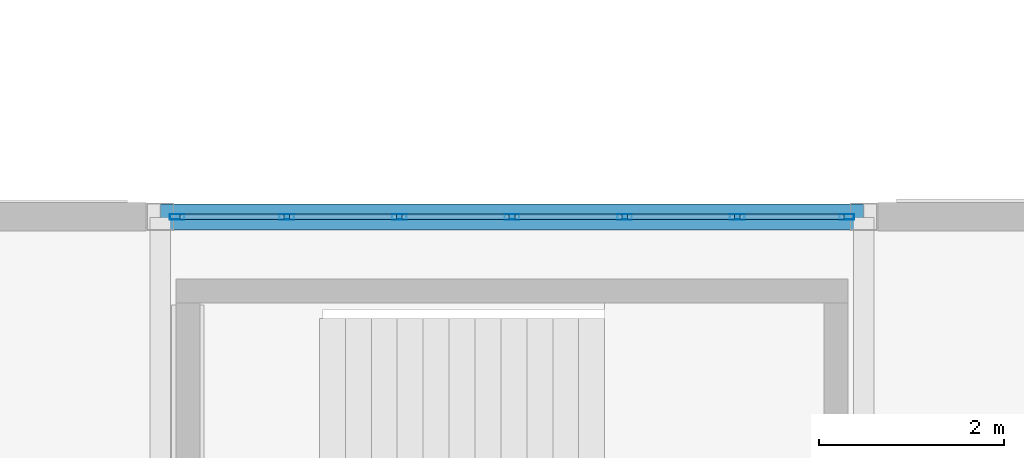
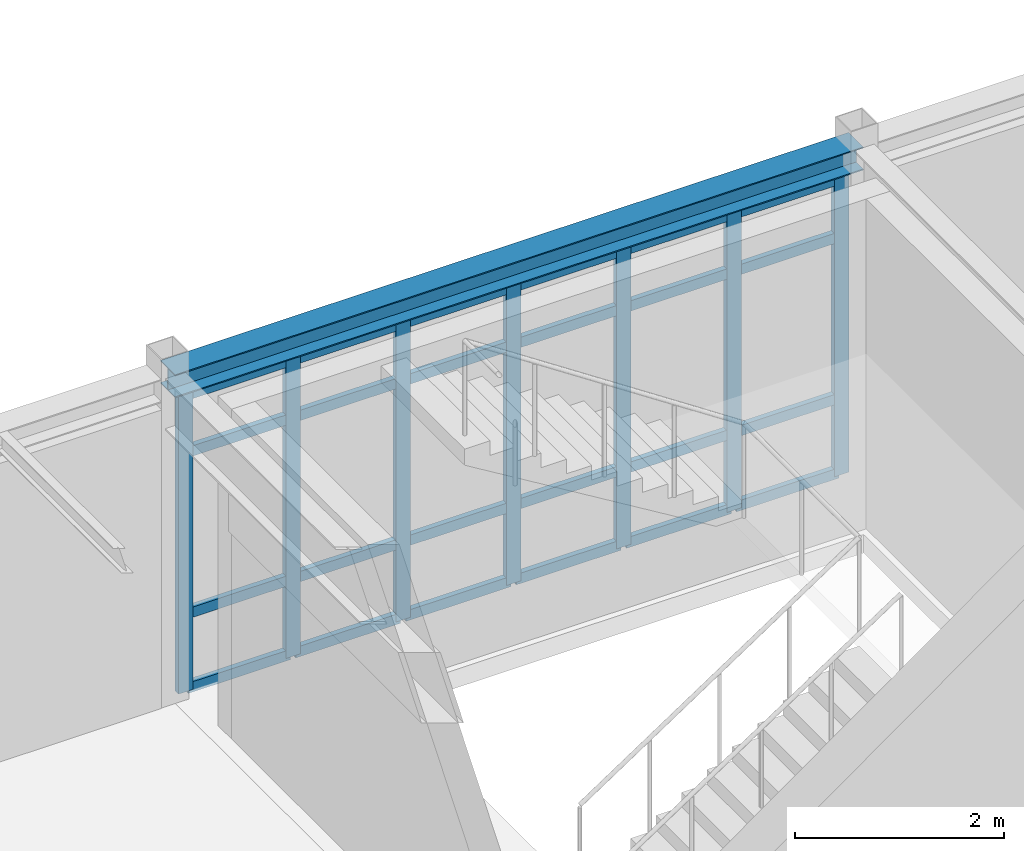
# One storey, part 77 of 165: 31 members, 1 beam, 1 element without a shape of its own.
"""IFC4 building model written with IfcOpenShell, lengths in metres."""

from ifc_helpers import new_model, si_unit, direction, frame, origin, origin_2d, place, context, subcontext, project, spatial, hollow_rectangle, i_section, extrude, material, layer, layer_set, material_profile, profile_set, type_object, element, aggregate, save


model = new_model("IFC4")

# Units and contexts
model_context = context("Model", 3, precision=1e-05, world=origin(), true_north=direction((0.0, 1.0)))
body_context = subcontext(model_context, "Body", "Model", "MODEL_VIEW")
ifc_project = project(units=[si_unit("LENGTHUNIT", "METRE"), si_unit("AREAUNIT", "SQUARE_METRE"), si_unit("VOLUMEUNIT", "CUBIC_METRE"), si_unit("PLANEANGLEUNIT", "RADIAN"), si_unit("MASSUNIT", "GRAM", prefix="KILO")], contexts=[model_context])

# Site, building, storey
site_placement = place(None, origin())
site = spatial("IfcSite", under=ifc_project, at=site_placement, CompositionType="ELEMENT")
building_placement = place(site_placement, origin())
building = spatial("IfcBuilding", under=site, at=building_placement, Name="Montecoro Central Library", CompositionType="ELEMENT")
storey_placement = place(building_placement, frame((0.0, 0.0, 5.10009765625)))
storey = spatial("IfcBuildingStorey", under=building, at=storey_placement, Name="L01", CompositionType="ELEMENT", Elevation=5.10009765625)

# Beam
ifc_material_1 = material(Name="Steel S355", Category="steel")
ifc_material_profile_1 = material_profile(ifc_material_1, i_section(OverallWidth=0.280029296875, OverallDepth=0.27001953125, WebThickness=0.008056640625, FlangeThickness=0.012939453125, at=origin_2d()), Name="HEA 280")
ifc_profile_set_1 = profile_set([ifc_material_profile_1], Name="Steel S355")
beam_type = type_object("IfcBeamType", Name="BM-SP-HEA280", PredefinedType="SPANDREL", material=ifc_profile_set_1)
beam_placement = place(storey_placement, frame((27.804931640625, 111.39990234375, 3.68994140625), z_axis=(1.0, 0.0, 0.0), x_axis=(0.0, 1.0, 0.0)))
element("IfcBeam", 1, at=beam_placement, inside=storey, type_object=beam_type, Name="V4-L01-BX-45-Q", PredefinedType="SPANDREL", context=body_context, shape_type="SweptSolid", body=[
    extrude(i_section(OverallWidth=0.280029296875, OverallDepth=0.27001953125, WebThickness=0.008056640625, FlangeThickness=0.012939453125, at=origin_2d()), origin(), (0.0, 0.0, 1.0), 7.590087890625),
])

# Curtain wall, members
ifc_material_2 = material(Name="Bronze-anodised aluminium and low-E glazing", Category="aluminium")
ifc_layer = layer(ifc_material_2, 0.159912109375)
ifc_layer_set = layer_set([ifc_layer], Name="Bronze-anodised aluminium and low-E glazing")
curtain_wall_type = type_object("IfcCurtainWallType", Name="CWT-044", PredefinedType="NOTDEFINED", material=ifc_layer_set)
curtain_wall_placement = place(storey_placement, origin())
curtain_wall = element("IfcCurtainWall", 2, at=curtain_wall_placement, inside=storey, type_object=curtain_wall_type, Name="V4-L01-CW-N3", PredefinedType="NOTDEFINED")
ifc_material_3 = material(Name="Bronze-anodised aluminium", Category="aluminium")
ifc_material_profile_2 = material_profile(ifc_material_3, hollow_rectangle(XDim=0.06005859375, YDim=0.159912109375, WallThickness=0.00390625, at=origin_2d()), Name="CWM 160x60x4.0")
ifc_profile_set_2 = profile_set([ifc_material_profile_2], Name="Bronze-anodised aluminium")
member_type_1 = type_object("IfcMemberType", Name="CWM-BRZ-60", PredefinedType="MULLION", material=ifc_profile_set_2)
member_1_placement = place(storey_placement, frame((35.217041015625, 111.39990234375, 0.0), z_axis=(0.0, 0.0, 1.0), x_axis=(0.0, -1.0, 0.0)))
member_1 = element("IfcMember", 3, at=member_1_placement, type_object=member_type_1, Name="CW-044 mullion 1", PredefinedType="MULLION", context=body_context, shape_type="SweptSolid", body=[
    extrude(hollow_rectangle(XDim=0.06005859375, YDim=0.159912109375, WallThickness=0.00390625, at=origin_2d()), origin(), (0.0, 0.0, 1.0), 3.47998046875),
])
member_2_placement = place(storey_placement, frame((34.03125, 111.39990234375, 0.0), z_axis=(0.0, 0.0, 1.0), x_axis=(0.0, -1.0, 0.0)))
member_2 = element("IfcMember", 4, at=member_2_placement, type_object=member_type_1, Name="CW-044 mullion 2", PredefinedType="MULLION", context=body_context, shape_type="SweptSolid", body=[
    extrude(hollow_rectangle(XDim=0.06005859375, YDim=0.159912109375, WallThickness=0.00390625, at=origin_2d()), origin(), (0.0, 0.0, 1.0), 3.47998046875),
])
member_3_placement = place(storey_placement, frame((32.815673828125, 111.39990234375, 0.0), z_axis=(0.0, 0.0, 1.0), x_axis=(0.0, -1.0, 0.0)))
member_3 = element("IfcMember", 5, at=member_3_placement, type_object=member_type_1, Name="CW-044 mullion 3", PredefinedType="MULLION", context=body_context, shape_type="SweptSolid", body=[
    extrude(hollow_rectangle(XDim=0.06005859375, YDim=0.159912109375, WallThickness=0.00390625, at=origin_2d()), origin(), (0.0, 0.0, 1.0), 3.47998046875),
])
member_4_placement = place(storey_placement, frame((31.60009765625, 111.39990234375, 0.0), z_axis=(0.0, 0.0, 1.0), x_axis=(0.0, -1.0, 0.0)))
member_4 = element("IfcMember", 6, at=member_4_placement, type_object=member_type_1, Name="CW-044 mullion 4", PredefinedType="MULLION", context=body_context, shape_type="SweptSolid", body=[
    extrude(hollow_rectangle(XDim=0.06005859375, YDim=0.159912109375, WallThickness=0.00390625, at=origin_2d()), origin(), (0.0, 0.0, 1.0), 3.47998046875),
])
member_5_placement = place(storey_placement, frame((30.38427734375, 111.39990234375, 0.0), z_axis=(0.0, 0.0, 1.0), x_axis=(0.0, -1.0, 0.0)))
member_5 = element("IfcMember", 7, at=member_5_placement, type_object=member_type_1, Name="CW-044 mullion 5", PredefinedType="MULLION", context=body_context, shape_type="SweptSolid", body=[
    extrude(hollow_rectangle(XDim=0.06005859375, YDim=0.159912109375, WallThickness=0.00390625, at=origin_2d()), origin(), (0.0, 0.0, 1.0), 3.47998046875),
])
member_6_placement = place(storey_placement, frame((29.168701171875, 111.39990234375, 0.0), z_axis=(0.0, 0.0, 1.0), x_axis=(0.0, -1.0, 0.0)))
member_6 = element("IfcMember", 8, at=member_6_placement, type_object=member_type_1, Name="CW-044 mullion 6", PredefinedType="MULLION", context=body_context, shape_type="SweptSolid", body=[
    extrude(hollow_rectangle(XDim=0.06005859375, YDim=0.159912109375, WallThickness=0.00390625, at=origin_2d()), origin(), (0.0, 0.0, 1.0), 3.47998046875),
])
member_7_placement = place(storey_placement, frame((27.98291015625, 111.39990234375, 0.0), z_axis=(0.0, 0.0, 1.0), x_axis=(0.0, -1.0, 0.0)))
member_7 = element("IfcMember", 9, at=member_7_placement, type_object=member_type_1, Name="CW-044 mullion 7", PredefinedType="MULLION", context=body_context, shape_type="SweptSolid", body=[
    extrude(hollow_rectangle(XDim=0.06005859375, YDim=0.159912109375, WallThickness=0.00390625, at=origin_2d()), origin(), (0.0, 0.0, 1.0), 3.47998046875),
])
ifc_material_profile_3 = material_profile(ifc_material_3, hollow_rectangle(XDim=0.06005859375, YDim=0.1201171875, WallThickness=0.00390625, at=origin_2d()), Name="CWT 120x60x4.0")
ifc_profile_set_3 = profile_set([ifc_material_profile_3], Name="Bronze-anodised aluminium")
member_type_2 = type_object("IfcMemberType", Name="CWT-BRZ-60", PredefinedType="USERDEFINED", material=ifc_profile_set_3)
member_8_placement = place(storey_placement, frame((35.18701171875, 111.39990234375, 0.02978515625), z_axis=(-1.0, 0.0, 0.0), x_axis=(0.0, -1.0, 0.0)))
member_8 = element("IfcMember", 10, at=member_8_placement, type_object=member_type_2, Name="CW-044 transom 1.1", ObjectType="TRANSOM", PredefinedType="USERDEFINED", context=body_context, shape_type="SweptSolid", body=[
    extrude(hollow_rectangle(XDim=0.06005859375, YDim=0.1201171875, WallThickness=0.00390625, at=origin_2d()), origin(), (0.0, 0.0, 1.0), 1.125732421875),
])
member_9_placement = place(storey_placement, frame((35.18701171875, 111.39990234375, 0.89990234375), z_axis=(-1.0, 0.0, 0.0), x_axis=(0.0, -1.0, 0.0)))
member_9 = element("IfcMember", 11, at=member_9_placement, type_object=member_type_2, Name="CW-044 transom 1.2", ObjectType="TRANSOM", PredefinedType="USERDEFINED", context=body_context, shape_type="SweptSolid", body=[
    extrude(hollow_rectangle(XDim=0.06005859375, YDim=0.1201171875, WallThickness=0.00390625, at=origin_2d()), origin(), (0.0, 0.0, 1.0), 1.125732421875),
])
member_10_placement = place(storey_placement, frame((35.18701171875, 111.39990234375, 2.77978515625), z_axis=(-1.0, 0.0, 0.0), x_axis=(0.0, -1.0, 0.0)))
member_10 = element("IfcMember", 12, at=member_10_placement, type_object=member_type_2, Name="CW-044 transom 1.3", ObjectType="TRANSOM", PredefinedType="USERDEFINED", context=body_context, shape_type="SweptSolid", body=[
    extrude(hollow_rectangle(XDim=0.06005859375, YDim=0.1201171875, WallThickness=0.00390625, at=origin_2d()), origin(), (0.0, 0.0, 1.0), 1.125732421875),
])
member_11_placement = place(storey_placement, frame((35.18701171875, 111.39990234375, 3.449951171875), z_axis=(-1.0, 0.0, 0.0), x_axis=(0.0, -1.0, 0.0)))
member_11 = element("IfcMember", 13, at=member_11_placement, type_object=member_type_2, Name="CW-044 transom 1.4", ObjectType="TRANSOM", PredefinedType="USERDEFINED", context=body_context, shape_type="SweptSolid", body=[
    extrude(hollow_rectangle(XDim=0.06005859375, YDim=0.1201171875, WallThickness=0.00390625, at=origin_2d()), origin(), (0.0, 0.0, 1.0), 1.125732421875),
])
member_12_placement = place(storey_placement, frame((34.001220703125, 111.39990234375, 0.02978515625), z_axis=(-1.0, 0.0, 0.0), x_axis=(0.0, -1.0, 0.0)))
member_12 = element("IfcMember", 14, at=member_12_placement, type_object=member_type_2, Name="CW-044 transom 2.1", ObjectType="TRANSOM", PredefinedType="USERDEFINED", context=body_context, shape_type="SweptSolid", body=[
    extrude(hollow_rectangle(XDim=0.06005859375, YDim=0.1201171875, WallThickness=0.00390625, at=origin_2d()), origin(), (0.0, 0.0, 1.0), 1.155517578125),
])
member_13_placement = place(storey_placement, frame((34.001220703125, 111.39990234375, 0.89990234375), z_axis=(-1.0, 0.0, 0.0), x_axis=(0.0, -1.0, 0.0)))
member_13 = element("IfcMember", 15, at=member_13_placement, type_object=member_type_2, Name="CW-044 transom 2.2", ObjectType="TRANSOM", PredefinedType="USERDEFINED", context=body_context, shape_type="SweptSolid", body=[
    extrude(hollow_rectangle(XDim=0.06005859375, YDim=0.1201171875, WallThickness=0.00390625, at=origin_2d()), origin(), (0.0, 0.0, 1.0), 1.155517578125),
])
member_14_placement = place(storey_placement, frame((34.001220703125, 111.39990234375, 2.77978515625), z_axis=(-1.0, 0.0, 0.0), x_axis=(0.0, -1.0, 0.0)))
member_14 = element("IfcMember", 16, at=member_14_placement, type_object=member_type_2, Name="CW-044 transom 2.3", ObjectType="TRANSOM", PredefinedType="USERDEFINED", context=body_context, shape_type="SweptSolid", body=[
    extrude(hollow_rectangle(XDim=0.06005859375, YDim=0.1201171875, WallThickness=0.00390625, at=origin_2d()), origin(), (0.0, 0.0, 1.0), 1.155517578125),
])
member_15_placement = place(storey_placement, frame((34.001220703125, 111.39990234375, 3.449951171875), z_axis=(-1.0, 0.0, 0.0), x_axis=(0.0, -1.0, 0.0)))
member_15 = element("IfcMember", 17, at=member_15_placement, type_object=member_type_2, Name="CW-044 transom 2.4", ObjectType="TRANSOM", PredefinedType="USERDEFINED", context=body_context, shape_type="SweptSolid", body=[
    extrude(hollow_rectangle(XDim=0.06005859375, YDim=0.1201171875, WallThickness=0.00390625, at=origin_2d()), origin(), (0.0, 0.0, 1.0), 1.155517578125),
])
member_16_placement = place(storey_placement, frame((32.78564453125, 111.39990234375, 0.02978515625), z_axis=(-1.0, 0.0, 0.0), x_axis=(0.0, -1.0, 0.0)))
member_16 = element("IfcMember", 18, at=member_16_placement, type_object=member_type_2, Name="CW-044 transom 3.1", ObjectType="TRANSOM", PredefinedType="USERDEFINED", context=body_context, shape_type="SweptSolid", body=[
    extrude(hollow_rectangle(XDim=0.06005859375, YDim=0.1201171875, WallThickness=0.00390625, at=origin_2d()), origin(), (0.0, 0.0, 1.0), 1.15576171875),
])
member_17_placement = place(storey_placement, frame((32.78564453125, 111.39990234375, 0.89990234375), z_axis=(-1.0, 0.0, 0.0), x_axis=(0.0, -1.0, 0.0)))
member_17 = element("IfcMember", 19, at=member_17_placement, type_object=member_type_2, Name="CW-044 transom 3.2", ObjectType="TRANSOM", PredefinedType="USERDEFINED", context=body_context, shape_type="SweptSolid", body=[
    extrude(hollow_rectangle(XDim=0.06005859375, YDim=0.1201171875, WallThickness=0.00390625, at=origin_2d()), origin(), (0.0, 0.0, 1.0), 1.15576171875),
])
member_18_placement = place(storey_placement, frame((32.78564453125, 111.39990234375, 2.77978515625), z_axis=(-1.0, 0.0, 0.0), x_axis=(0.0, -1.0, 0.0)))
member_18 = element("IfcMember", 20, at=member_18_placement, type_object=member_type_2, Name="CW-044 transom 3.3", ObjectType="TRANSOM", PredefinedType="USERDEFINED", context=body_context, shape_type="SweptSolid", body=[
    extrude(hollow_rectangle(XDim=0.06005859375, YDim=0.1201171875, WallThickness=0.00390625, at=origin_2d()), origin(), (0.0, 0.0, 1.0), 1.15576171875),
])
member_19_placement = place(storey_placement, frame((32.78564453125, 111.39990234375, 3.449951171875), z_axis=(-1.0, 0.0, 0.0), x_axis=(0.0, -1.0, 0.0)))
member_19 = element("IfcMember", 21, at=member_19_placement, type_object=member_type_2, Name="CW-044 transom 3.4", ObjectType="TRANSOM", PredefinedType="USERDEFINED", context=body_context, shape_type="SweptSolid", body=[
    extrude(hollow_rectangle(XDim=0.06005859375, YDim=0.1201171875, WallThickness=0.00390625, at=origin_2d()), origin(), (0.0, 0.0, 1.0), 1.15576171875),
])
member_20_placement = place(storey_placement, frame((31.570068359375, 111.39990234375, 0.02978515625), z_axis=(-1.0, 0.0, 0.0), x_axis=(0.0, -1.0, 0.0)))
member_20 = element("IfcMember", 22, at=member_20_placement, type_object=member_type_2, Name="CW-044 transom 4.1", ObjectType="TRANSOM", PredefinedType="USERDEFINED", context=body_context, shape_type="SweptSolid", body=[
    extrude(hollow_rectangle(XDim=0.06005859375, YDim=0.1201171875, WallThickness=0.00390625, at=origin_2d()), origin(), (0.0, 0.0, 1.0), 1.15576171875),
])
member_21_placement = place(storey_placement, frame((31.570068359375, 111.39990234375, 0.89990234375), z_axis=(-1.0, 0.0, 0.0), x_axis=(0.0, -1.0, 0.0)))
member_21 = element("IfcMember", 23, at=member_21_placement, type_object=member_type_2, Name="CW-044 transom 4.2", ObjectType="TRANSOM", PredefinedType="USERDEFINED", context=body_context, shape_type="SweptSolid", body=[
    extrude(hollow_rectangle(XDim=0.06005859375, YDim=0.1201171875, WallThickness=0.00390625, at=origin_2d()), origin(), (0.0, 0.0, 1.0), 1.15576171875),
])
member_22_placement = place(storey_placement, frame((31.570068359375, 111.39990234375, 2.77978515625), z_axis=(-1.0, 0.0, 0.0), x_axis=(0.0, -1.0, 0.0)))
member_22 = element("IfcMember", 24, at=member_22_placement, type_object=member_type_2, Name="CW-044 transom 4.3", ObjectType="TRANSOM", PredefinedType="USERDEFINED", context=body_context, shape_type="SweptSolid", body=[
    extrude(hollow_rectangle(XDim=0.06005859375, YDim=0.1201171875, WallThickness=0.00390625, at=origin_2d()), origin(), (0.0, 0.0, 1.0), 1.15576171875),
])
member_23_placement = place(storey_placement, frame((31.570068359375, 111.39990234375, 3.449951171875), z_axis=(-1.0, 0.0, 0.0), x_axis=(0.0, -1.0, 0.0)))
member_23 = element("IfcMember", 25, at=member_23_placement, type_object=member_type_2, Name="CW-044 transom 4.4", ObjectType="TRANSOM", PredefinedType="USERDEFINED", context=body_context, shape_type="SweptSolid", body=[
    extrude(hollow_rectangle(XDim=0.06005859375, YDim=0.1201171875, WallThickness=0.00390625, at=origin_2d()), origin(), (0.0, 0.0, 1.0), 1.15576171875),
])
member_24_placement = place(storey_placement, frame((30.354248046875, 111.39990234375, 0.02978515625), z_axis=(-1.0, 0.0, 0.0), x_axis=(0.0, -1.0, 0.0)))
member_24 = element("IfcMember", 26, at=member_24_placement, type_object=member_type_2, Name="CW-044 transom 5.1", ObjectType="TRANSOM", PredefinedType="USERDEFINED", context=body_context, shape_type="SweptSolid", body=[
    extrude(hollow_rectangle(XDim=0.06005859375, YDim=0.1201171875, WallThickness=0.00390625, at=origin_2d()), origin(), (0.0, 0.0, 1.0), 1.155517578125),
])
member_25_placement = place(storey_placement, frame((30.354248046875, 111.39990234375, 0.89990234375), z_axis=(-1.0, 0.0, 0.0), x_axis=(0.0, -1.0, 0.0)))
member_25 = element("IfcMember", 27, at=member_25_placement, type_object=member_type_2, Name="CW-044 transom 5.2", ObjectType="TRANSOM", PredefinedType="USERDEFINED", context=body_context, shape_type="SweptSolid", body=[
    extrude(hollow_rectangle(XDim=0.06005859375, YDim=0.1201171875, WallThickness=0.00390625, at=origin_2d()), origin(), (0.0, 0.0, 1.0), 1.155517578125),
])
member_26_placement = place(storey_placement, frame((30.354248046875, 111.39990234375, 2.77978515625), z_axis=(-1.0, 0.0, 0.0), x_axis=(0.0, -1.0, 0.0)))
member_26 = element("IfcMember", 28, at=member_26_placement, type_object=member_type_2, Name="CW-044 transom 5.3", ObjectType="TRANSOM", PredefinedType="USERDEFINED", context=body_context, shape_type="SweptSolid", body=[
    extrude(hollow_rectangle(XDim=0.06005859375, YDim=0.1201171875, WallThickness=0.00390625, at=origin_2d()), origin(), (0.0, 0.0, 1.0), 1.155517578125),
])
member_27_placement = place(storey_placement, frame((30.354248046875, 111.39990234375, 3.449951171875), z_axis=(-1.0, 0.0, 0.0), x_axis=(0.0, -1.0, 0.0)))
member_27 = element("IfcMember", 29, at=member_27_placement, type_object=member_type_2, Name="CW-044 transom 5.4", ObjectType="TRANSOM", PredefinedType="USERDEFINED", context=body_context, shape_type="SweptSolid", body=[
    extrude(hollow_rectangle(XDim=0.06005859375, YDim=0.1201171875, WallThickness=0.00390625, at=origin_2d()), origin(), (0.0, 0.0, 1.0), 1.155517578125),
])
member_28_placement = place(storey_placement, frame((29.138671875, 111.39990234375, 0.02978515625), z_axis=(-1.0, 0.0, 0.0), x_axis=(0.0, -1.0, 0.0)))
member_28 = element("IfcMember", 30, at=member_28_placement, type_object=member_type_2, Name="CW-044 transom 6.1", ObjectType="TRANSOM", PredefinedType="USERDEFINED", context=body_context, shape_type="SweptSolid", body=[
    extrude(hollow_rectangle(XDim=0.06005859375, YDim=0.1201171875, WallThickness=0.00390625, at=origin_2d()), origin(), (0.0, 0.0, 1.0), 1.125732421875),
])
member_29_placement = place(storey_placement, frame((29.138671875, 111.39990234375, 0.89990234375), z_axis=(-1.0, 0.0, 0.0), x_axis=(0.0, -1.0, 0.0)))
member_29 = element("IfcMember", 31, at=member_29_placement, type_object=member_type_2, Name="CW-044 transom 6.2", ObjectType="TRANSOM", PredefinedType="USERDEFINED", context=body_context, shape_type="SweptSolid", body=[
    extrude(hollow_rectangle(XDim=0.06005859375, YDim=0.1201171875, WallThickness=0.00390625, at=origin_2d()), origin(), (0.0, 0.0, 1.0), 1.125732421875),
])
member_30_placement = place(storey_placement, frame((29.138671875, 111.39990234375, 2.77978515625), z_axis=(-1.0, 0.0, 0.0), x_axis=(0.0, -1.0, 0.0)))
member_30 = element("IfcMember", 32, at=member_30_placement, type_object=member_type_2, Name="CW-044 transom 6.3", ObjectType="TRANSOM", PredefinedType="USERDEFINED", context=body_context, shape_type="SweptSolid", body=[
    extrude(hollow_rectangle(XDim=0.06005859375, YDim=0.1201171875, WallThickness=0.00390625, at=origin_2d()), origin(), (0.0, 0.0, 1.0), 1.125732421875),
])
member_31_placement = place(storey_placement, frame((29.138671875, 111.39990234375, 3.449951171875), z_axis=(-1.0, 0.0, 0.0), x_axis=(0.0, -1.0, 0.0)))
member_31 = element("IfcMember", 33, at=member_31_placement, type_object=member_type_2, Name="CW-044 transom 6.4", ObjectType="TRANSOM", PredefinedType="USERDEFINED", context=body_context, shape_type="SweptSolid", body=[
    extrude(hollow_rectangle(XDim=0.06005859375, YDim=0.1201171875, WallThickness=0.00390625, at=origin_2d()), origin(), (0.0, 0.0, 1.0), 1.125732421875),
])
aggregate(curtain_wall, [member_1, member_2, member_3, member_4, member_5, member_6, member_7, member_8, member_9, member_10, member_11, member_12, member_13, member_14, member_15, member_16, member_17, member_18, member_19, member_20, member_21, member_22, member_23, member_24, member_25, member_26, member_27, member_28, member_29, member_30, member_31])

save(model, "model.ifc")
